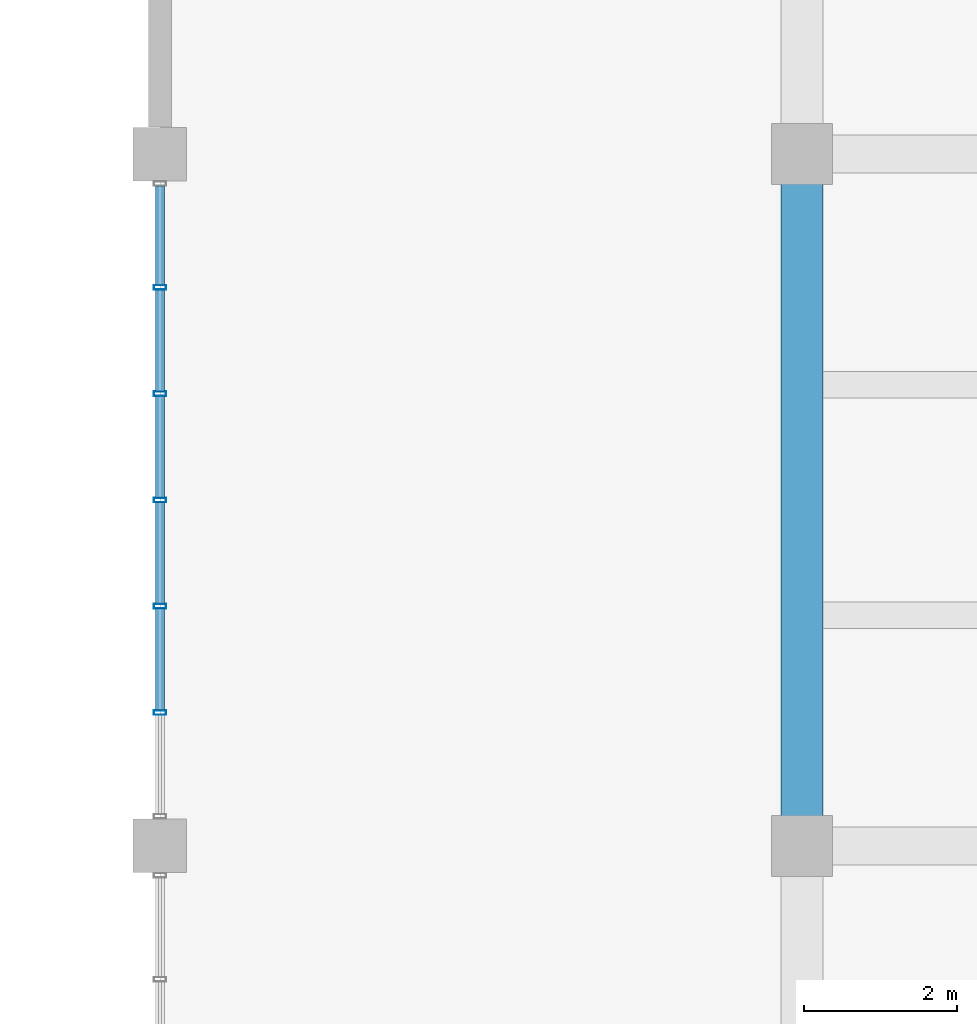
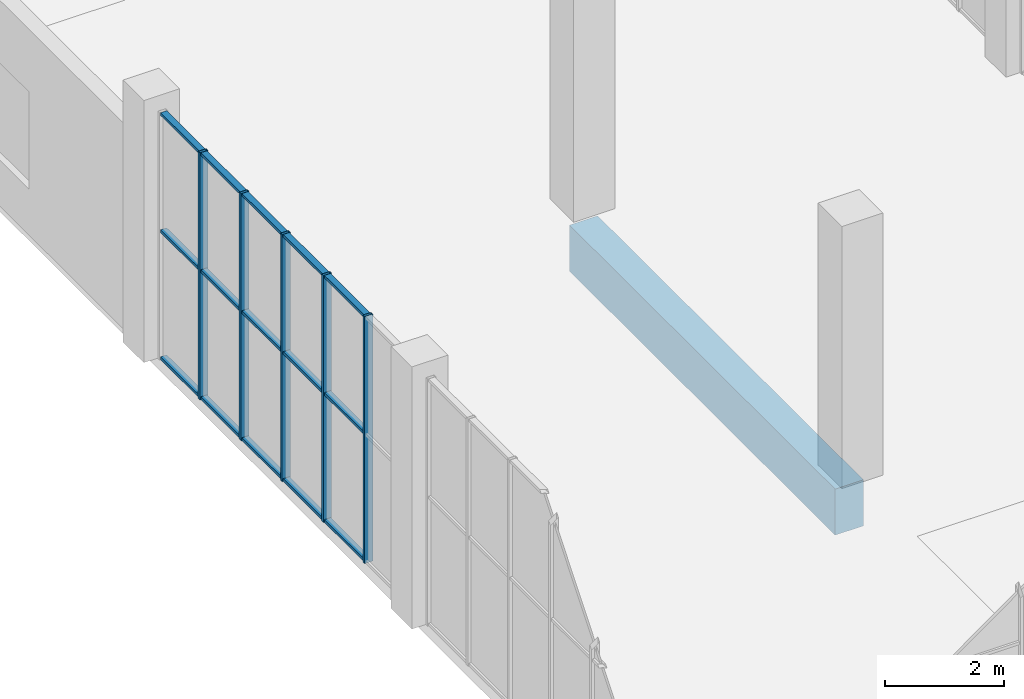
# One storey, part 10 of 91: 20 members, 1 beam, 1 element without a shape of its own.
"""IFC4 building model written with IfcOpenShell, lengths in metres."""

from ifc_helpers import new_model, si_unit, direction, frame, origin, origin_2d, place, context, subcontext, project, spatial, rectangle, hollow_rectangle, extrude, material, material_profile, profile_set, type_object, element, aggregate, save


model = new_model("IFC4")

# Units and contexts
model_context = context("Model", 3, precision=1e-05, world=origin(), true_north=direction((0.0, 1.0)))
body_context = subcontext(model_context, "Body", "Model", "MODEL_VIEW")
ifc_project = project(units=[si_unit("LENGTHUNIT", "METRE"), si_unit("AREAUNIT", "SQUARE_METRE"), si_unit("VOLUMEUNIT", "CUBIC_METRE"), si_unit("PLANEANGLEUNIT", "RADIAN"), si_unit("MASSUNIT", "GRAM", prefix="KILO")], contexts=[model_context])

# Site, building, storey
site_placement = place(None, origin())
site = spatial("IfcSite", under=ifc_project, at=site_placement, CompositionType="ELEMENT")
building_placement = place(site_placement, origin())
building = spatial("IfcBuilding", under=site, at=building_placement, Name="Khurvash Pelagic Aquarium", CompositionType="ELEMENT")
storey_placement = place(building_placement, origin())
storey = spatial("IfcBuildingStorey", under=building, at=storey_placement, Name="L00", CompositionType="ELEMENT", Elevation=0.0)

# Beam
ifc_material_1 = material(Name="Concrete C40/50", Category="concrete")
ifc_material_profile_1 = material_profile(ifc_material_1, rectangle(XDim=0.550048828125, YDim=0.949951171875, at=origin_2d()), Name="RC550X950")
ifc_profile_set_1 = profile_set([ifc_material_profile_1], Name="Concrete C40/50")
beam_type = type_object("IfcBeamType", Name="BM-02", PredefinedType="BEAM", material=ifc_profile_set_1)
beam_placement = place(storey_placement, frame((25.199951171875, 38.840087890625, -0.794921875), z_axis=(0.0, 1.0, 0.0), x_axis=(-1.0, 0.0, 0.0)))
element("IfcBeam", 1, at=beam_placement, inside=storey, type_object=beam_type, Name="L00 Primary Girder BM-02 00083", PredefinedType="BEAM", context=body_context, shape_type="SweptSolid", body=[
    extrude(rectangle(XDim=0.550048828125, YDim=0.949951171875, at=origin_2d()), origin(), (0.0, 0.0, 1.0), 8.969970703125),
])

# Curtain wall, members
ifc_material_2 = material(Name="Anodised aluminium and low-E laminated glass", Category="aluminium")
curtain_wall_type = type_object("IfcCurtainWallType", Name="CW-05", PredefinedType="USERDEFINED", material=ifc_material_2)
curtain_wall_placement = place(storey_placement, origin())
curtain_wall = element("IfcCurtainWall", 2, at=curtain_wall_placement, inside=storey, type_object=curtain_wall_type, Name="L00 Facade Unitised Curtain Wall CW-05 0072", ObjectType="UNITISED CURTAIN WALL", PredefinedType="USERDEFINED")
ifc_material_3 = material(Name="Extruded aluminium AW-6063-T6", Category="aluminium")
ifc_material_profile_2 = material_profile(ifc_material_3, hollow_rectangle(XDim=0.06005859375, YDim=0.159912109375, WallThickness=0.00390625, at=origin_2d()), Name="CWM60X160X4")
ifc_profile_set_2 = profile_set([ifc_material_profile_2], Name="Extruded aluminium AW-6063-T6")
member_type_1 = type_object("IfcMemberType", Name="CM-02", PredefinedType="MULLION", material=ifc_profile_set_2)
member_1_placement = place(storey_placement, frame((16.800048828125, 46.10498046875, 0.0), z_axis=(0.0, 0.0, 1.0), x_axis=(0.0, -1.0, 0.0)))
member_1 = element("IfcMember", 3, at=member_1_placement, type_object=member_type_1, Name="CW-05 mullion 2", PredefinedType="MULLION", context=body_context, shape_type="SweptSolid", body=[
    extrude(hollow_rectangle(XDim=0.06005859375, YDim=0.159912109375, WallThickness=0.00390625, at=origin_2d()), origin(), (0.0, 0.0, 1.0), 5.090087890625),
])
member_2_placement = place(storey_placement, frame((16.800048828125, 44.715087890625, 0.0), z_axis=(0.0, 0.0, 1.0), x_axis=(0.0, -1.0, 0.0)))
member_2 = element("IfcMember", 4, at=member_2_placement, type_object=member_type_1, Name="CW-05 mullion 3", PredefinedType="MULLION", context=body_context, shape_type="SweptSolid", body=[
    extrude(hollow_rectangle(XDim=0.06005859375, YDim=0.159912109375, WallThickness=0.00390625, at=origin_2d()), origin(), (0.0, 0.0, 1.0), 5.090087890625),
])
member_3_placement = place(storey_placement, frame((16.800048828125, 43.324951171875, 0.0), z_axis=(0.0, 0.0, 1.0), x_axis=(0.0, -1.0, 0.0)))
member_3 = element("IfcMember", 5, at=member_3_placement, type_object=member_type_1, Name="CW-05 mullion 4", PredefinedType="MULLION", context=body_context, shape_type="SweptSolid", body=[
    extrude(hollow_rectangle(XDim=0.06005859375, YDim=0.159912109375, WallThickness=0.00390625, at=origin_2d()), origin(), (0.0, 0.0, 1.0), 5.090087890625),
])
member_4_placement = place(storey_placement, frame((16.800048828125, 41.93505859375, 0.0), z_axis=(0.0, 0.0, 1.0), x_axis=(0.0, -1.0, 0.0)))
member_4 = element("IfcMember", 6, at=member_4_placement, type_object=member_type_1, Name="CW-05 mullion 5", PredefinedType="MULLION", context=body_context, shape_type="SweptSolid", body=[
    extrude(hollow_rectangle(XDim=0.06005859375, YDim=0.159912109375, WallThickness=0.00390625, at=origin_2d()), origin(), (0.0, 0.0, 1.0), 5.090087890625),
])
member_5_placement = place(storey_placement, frame((16.800048828125, 40.544921875, 0.0), z_axis=(0.0, 0.0, 1.0), x_axis=(0.0, -1.0, 0.0)))
member_5 = element("IfcMember", 7, at=member_5_placement, type_object=member_type_1, Name="CW-05 mullion 6", PredefinedType="MULLION", context=body_context, shape_type="SweptSolid", body=[
    extrude(hollow_rectangle(XDim=0.06005859375, YDim=0.159912109375, WallThickness=0.00390625, at=origin_2d()), origin(), (0.0, 0.0, 1.0), 5.090087890625),
])
ifc_material_profile_3 = material_profile(ifc_material_3, hollow_rectangle(XDim=0.1201171875, YDim=0.06005859375, WallThickness=0.00390625, at=origin_2d()), Name="CWT120X60X4")
ifc_profile_set_3 = profile_set([ifc_material_profile_3], Name="Extruded aluminium AW-6063-T6")
member_type_2 = type_object("IfcMemberType", Name="CT-02", PredefinedType="USERDEFINED", material=ifc_profile_set_3)
member_6_placement = place(storey_placement, frame((16.800048828125, 47.43505859375, 0.030029296875), z_axis=(0.0, -1.0, 0.0), x_axis=(1.0, 0.0, 0.0)))
member_6 = element("IfcMember", 8, at=member_6_placement, type_object=member_type_2, Name="CW-05 transom 1.1", ObjectType="TRANSOM", PredefinedType="USERDEFINED", context=body_context, shape_type="SweptSolid", body=[
    extrude(hollow_rectangle(XDim=0.1201171875, YDim=0.06005859375, WallThickness=0.00390625, at=origin_2d()), origin(), (0.0, 0.0, 1.0), 1.300048828125),
])
member_7_placement = place(storey_placement, frame((16.800048828125, 47.43505859375, 2.64697265625), z_axis=(0.0, -1.0, 0.0), x_axis=(1.0, 0.0, 0.0)))
member_7 = element("IfcMember", 9, at=member_7_placement, type_object=member_type_2, Name="CW-05 transom 1.2", ObjectType="TRANSOM", PredefinedType="USERDEFINED", context=body_context, shape_type="SweptSolid", body=[
    extrude(hollow_rectangle(XDim=0.1201171875, YDim=0.06005859375, WallThickness=0.00390625, at=origin_2d()), origin(), (0.0, 0.0, 1.0), 1.300048828125),
])
member_8_placement = place(storey_placement, frame((16.800048828125, 47.43505859375, 5.06005859375), z_axis=(0.0, -1.0, 0.0), x_axis=(1.0, 0.0, 0.0)))
member_8 = element("IfcMember", 10, at=member_8_placement, type_object=member_type_2, Name="CW-05 transom 1.3", ObjectType="TRANSOM", PredefinedType="USERDEFINED", context=body_context, shape_type="SweptSolid", body=[
    extrude(hollow_rectangle(XDim=0.1201171875, YDim=0.06005859375, WallThickness=0.00390625, at=origin_2d()), origin(), (0.0, 0.0, 1.0), 1.300048828125),
])
member_9_placement = place(storey_placement, frame((16.800048828125, 46.074951171875, 0.030029296875), z_axis=(0.0, -1.0, 0.0), x_axis=(1.0, 0.0, 0.0)))
member_9 = element("IfcMember", 11, at=member_9_placement, type_object=member_type_2, Name="CW-05 transom 2.1", ObjectType="TRANSOM", PredefinedType="USERDEFINED", context=body_context, shape_type="SweptSolid", body=[
    extrude(hollow_rectangle(XDim=0.1201171875, YDim=0.06005859375, WallThickness=0.00390625, at=origin_2d()), origin(), (0.0, 0.0, 1.0), 1.329833984375),
])
member_10_placement = place(storey_placement, frame((16.800048828125, 46.074951171875, 2.64697265625), z_axis=(0.0, -1.0, 0.0), x_axis=(1.0, 0.0, 0.0)))
member_10 = element("IfcMember", 12, at=member_10_placement, type_object=member_type_2, Name="CW-05 transom 2.2", ObjectType="TRANSOM", PredefinedType="USERDEFINED", context=body_context, shape_type="SweptSolid", body=[
    extrude(hollow_rectangle(XDim=0.1201171875, YDim=0.06005859375, WallThickness=0.00390625, at=origin_2d()), origin(), (0.0, 0.0, 1.0), 1.329833984375),
])
member_11_placement = place(storey_placement, frame((16.800048828125, 46.074951171875, 5.06005859375), z_axis=(0.0, -1.0, 0.0), x_axis=(1.0, 0.0, 0.0)))
member_11 = element("IfcMember", 13, at=member_11_placement, type_object=member_type_2, Name="CW-05 transom 2.3", ObjectType="TRANSOM", PredefinedType="USERDEFINED", context=body_context, shape_type="SweptSolid", body=[
    extrude(hollow_rectangle(XDim=0.1201171875, YDim=0.06005859375, WallThickness=0.00390625, at=origin_2d()), origin(), (0.0, 0.0, 1.0), 1.329833984375),
])
member_12_placement = place(storey_placement, frame((16.800048828125, 44.68505859375, 0.030029296875), z_axis=(0.0, -1.0, 0.0), x_axis=(1.0, 0.0, 0.0)))
member_12 = element("IfcMember", 14, at=member_12_placement, type_object=member_type_2, Name="CW-05 transom 3.1", ObjectType="TRANSOM", PredefinedType="USERDEFINED", context=body_context, shape_type="SweptSolid", body=[
    extrude(hollow_rectangle(XDim=0.1201171875, YDim=0.06005859375, WallThickness=0.00390625, at=origin_2d()), origin(), (0.0, 0.0, 1.0), 1.330078125),
])
member_13_placement = place(storey_placement, frame((16.800048828125, 44.68505859375, 2.64697265625), z_axis=(0.0, -1.0, 0.0), x_axis=(1.0, 0.0, 0.0)))
member_13 = element("IfcMember", 15, at=member_13_placement, type_object=member_type_2, Name="CW-05 transom 3.2", ObjectType="TRANSOM", PredefinedType="USERDEFINED", context=body_context, shape_type="SweptSolid", body=[
    extrude(hollow_rectangle(XDim=0.1201171875, YDim=0.06005859375, WallThickness=0.00390625, at=origin_2d()), origin(), (0.0, 0.0, 1.0), 1.330078125),
])
member_14_placement = place(storey_placement, frame((16.800048828125, 44.68505859375, 5.06005859375), z_axis=(0.0, -1.0, 0.0), x_axis=(1.0, 0.0, 0.0)))
member_14 = element("IfcMember", 16, at=member_14_placement, type_object=member_type_2, Name="CW-05 transom 3.3", ObjectType="TRANSOM", PredefinedType="USERDEFINED", context=body_context, shape_type="SweptSolid", body=[
    extrude(hollow_rectangle(XDim=0.1201171875, YDim=0.06005859375, WallThickness=0.00390625, at=origin_2d()), origin(), (0.0, 0.0, 1.0), 1.330078125),
])
member_15_placement = place(storey_placement, frame((16.800048828125, 43.294921875, 0.030029296875), z_axis=(0.0, -1.0, 0.0), x_axis=(1.0, 0.0, 0.0)))
member_15 = element("IfcMember", 17, at=member_15_placement, type_object=member_type_2, Name="CW-05 transom 4.1", ObjectType="TRANSOM", PredefinedType="USERDEFINED", context=body_context, shape_type="SweptSolid", body=[
    extrude(hollow_rectangle(XDim=0.1201171875, YDim=0.06005859375, WallThickness=0.00390625, at=origin_2d()), origin(), (0.0, 0.0, 1.0), 1.329833984375),
])
member_16_placement = place(storey_placement, frame((16.800048828125, 43.294921875, 2.64697265625), z_axis=(0.0, -1.0, 0.0), x_axis=(1.0, 0.0, 0.0)))
member_16 = element("IfcMember", 18, at=member_16_placement, type_object=member_type_2, Name="CW-05 transom 4.2", ObjectType="TRANSOM", PredefinedType="USERDEFINED", context=body_context, shape_type="SweptSolid", body=[
    extrude(hollow_rectangle(XDim=0.1201171875, YDim=0.06005859375, WallThickness=0.00390625, at=origin_2d()), origin(), (0.0, 0.0, 1.0), 1.329833984375),
])
member_17_placement = place(storey_placement, frame((16.800048828125, 43.294921875, 5.06005859375), z_axis=(0.0, -1.0, 0.0), x_axis=(1.0, 0.0, 0.0)))
member_17 = element("IfcMember", 19, at=member_17_placement, type_object=member_type_2, Name="CW-05 transom 4.3", ObjectType="TRANSOM", PredefinedType="USERDEFINED", context=body_context, shape_type="SweptSolid", body=[
    extrude(hollow_rectangle(XDim=0.1201171875, YDim=0.06005859375, WallThickness=0.00390625, at=origin_2d()), origin(), (0.0, 0.0, 1.0), 1.329833984375),
])
member_18_placement = place(storey_placement, frame((16.800048828125, 41.905029296875, 0.030029296875), z_axis=(0.0, -1.0, 0.0), x_axis=(1.0, 0.0, 0.0)))
member_18 = element("IfcMember", 20, at=member_18_placement, type_object=member_type_2, Name="CW-05 transom 5.1", ObjectType="TRANSOM", PredefinedType="USERDEFINED", context=body_context, shape_type="SweptSolid", body=[
    extrude(hollow_rectangle(XDim=0.1201171875, YDim=0.06005859375, WallThickness=0.00390625, at=origin_2d()), origin(), (0.0, 0.0, 1.0), 1.330078125),
])
member_19_placement = place(storey_placement, frame((16.800048828125, 41.905029296875, 2.64697265625), z_axis=(0.0, -1.0, 0.0), x_axis=(1.0, 0.0, 0.0)))
member_19 = element("IfcMember", 21, at=member_19_placement, type_object=member_type_2, Name="CW-05 transom 5.2", ObjectType="TRANSOM", PredefinedType="USERDEFINED", context=body_context, shape_type="SweptSolid", body=[
    extrude(hollow_rectangle(XDim=0.1201171875, YDim=0.06005859375, WallThickness=0.00390625, at=origin_2d()), origin(), (0.0, 0.0, 1.0), 1.330078125),
])
member_20_placement = place(storey_placement, frame((16.800048828125, 41.905029296875, 5.06005859375), z_axis=(0.0, -1.0, 0.0), x_axis=(1.0, 0.0, 0.0)))
member_20 = element("IfcMember", 22, at=member_20_placement, type_object=member_type_2, Name="CW-05 transom 5.3", ObjectType="TRANSOM", PredefinedType="USERDEFINED", context=body_context, shape_type="SweptSolid", body=[
    extrude(hollow_rectangle(XDim=0.1201171875, YDim=0.06005859375, WallThickness=0.00390625, at=origin_2d()), origin(), (0.0, 0.0, 1.0), 1.330078125),
])
aggregate(curtain_wall, [member_1, member_2, member_3, member_4, member_5, member_6, member_7, member_8, member_9, member_10, member_11, member_12, member_13, member_14, member_15, member_16, member_17, member_18, member_19, member_20])

save(model, "model.ifc")
